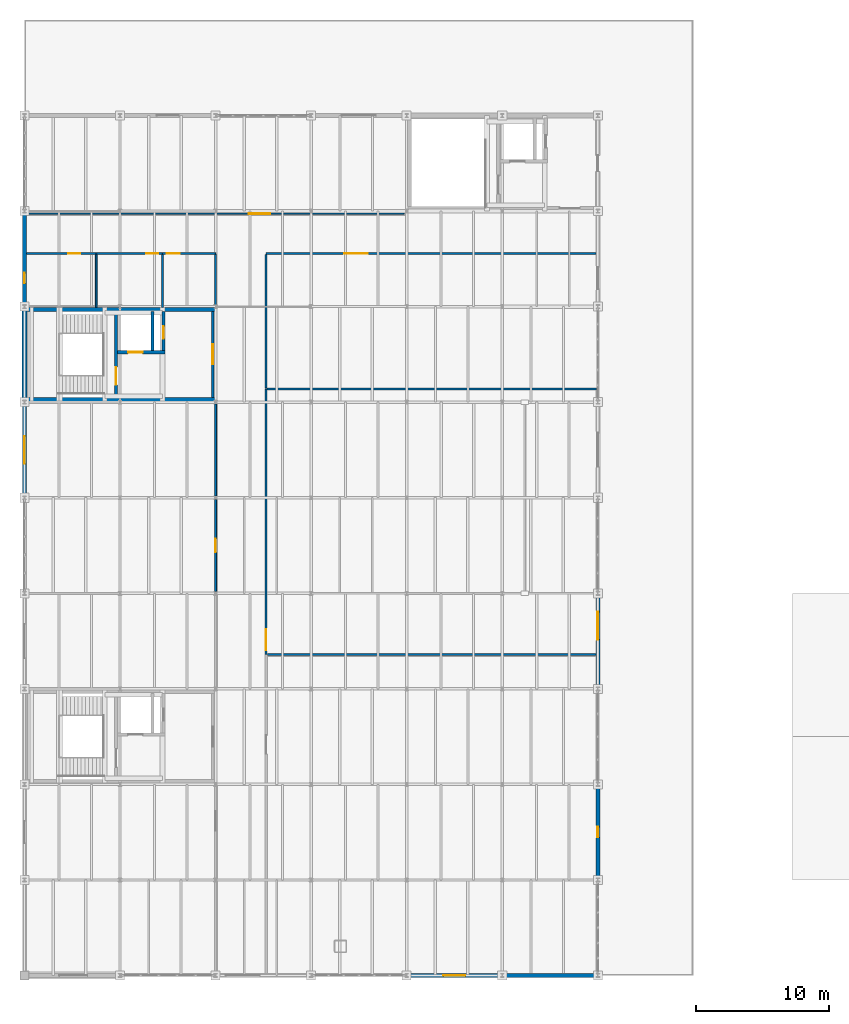
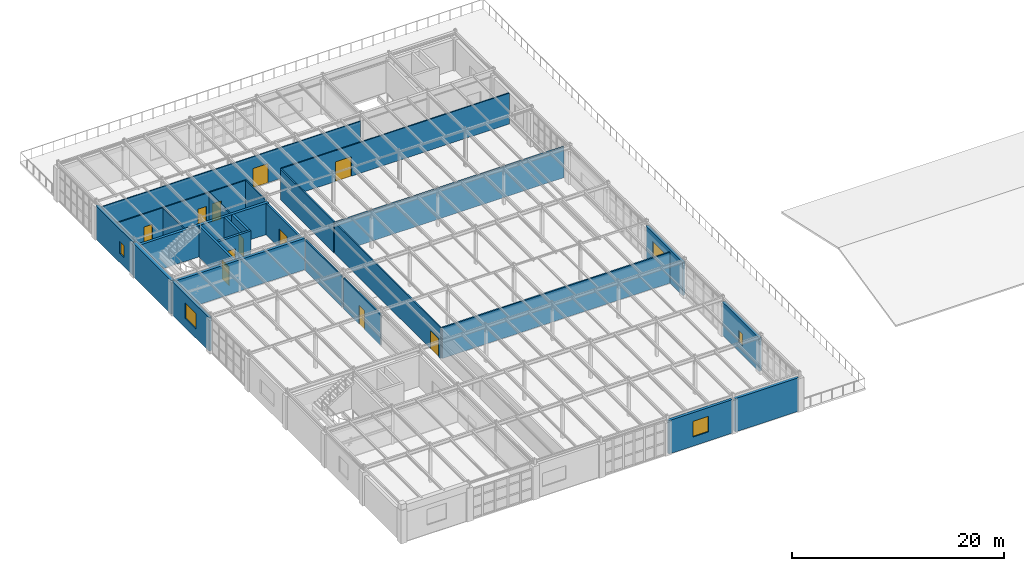
# One storey, part 33 of 36: 28 walls, 11 doors, 5 windows, 16 openings.
"""IFC4 building model written with IfcOpenShell, lengths in metres."""

from ifc_helpers import new_model, si_unit, direction, frame, frame_2d, origin, place, context, subcontext, project, spatial, rectangle, extrude, material, layer, layer_set, type_object, element, fill, save


model = new_model("IFC4")

# Units and contexts
model_context = context("Model", 3, precision=1e-05, world=origin(), true_north=direction((0.0, 1.0)))
body_context = subcontext(model_context, "Body", "Model", "MODEL_VIEW")
ifc_project = project(units=[si_unit("LENGTHUNIT", "METRE"), si_unit("AREAUNIT", "SQUARE_METRE"), si_unit("VOLUMEUNIT", "CUBIC_METRE"), si_unit("PLANEANGLEUNIT", "RADIAN"), si_unit("MASSUNIT", "GRAM", prefix="KILO")], contexts=[model_context])

# Site, building, storey
site_placement = place(None, origin())
site = spatial("IfcSite", under=ifc_project, at=site_placement, CompositionType="ELEMENT")
building_placement = place(site_placement, origin())
building = spatial("IfcBuilding", under=site, at=building_placement, Name="Kemerveld Promenade Tramway Depot", CompositionType="ELEMENT")
storey_placement = place(building_placement, frame((0.0, 0.0, 14.39990234375)))
storey = spatial("IfcBuildingStorey", under=building, at=storey_placement, Name="L03", CompositionType="ELEMENT", Elevation=14.39990234375)

# Wall, opening, door
ifc_material_1 = material(Name="Concrete C40/50", Category="concrete")
ifc_layer_1 = layer(ifc_material_1, 0.25)
ifc_layer_set_1 = layer_set([ifc_layer_1], Name="WL-CORE-250")
wall_type_1 = type_object("IfcWallType", Name="WL-CORE-250", PredefinedType="SHEAR", material=ifc_layer_set_1)
wall_1_placement = place(storey_placement, frame((6.89990234375, 43.550048828125, 0.0), z_axis=(0.0, 0.0, 1.0), x_axis=(0.0, 1.0, 0.0)))
wall_1 = element("IfcWall", 1, at=wall_1_placement, inside=storey, type_object=wall_type_1, Name="WL-C2-L03-SDIV", PredefinedType="SHEAR", context=body_context, shape_type="SweptSolid", body=[
    extrude(rectangle(XDim=6.5, YDim=0.25, at=frame_2d((3.25, 0.0))), origin(), (0.0, 0.0, 1.0), 3.60009765625),
])
opening_1_placement = place(wall_1_placement, frame((0.949951171875, 0.0, 0.0)))
opening_1 = element("IfcOpeningElement", 2, at=opening_1_placement, cuts=wall_1, Name="Opening D-533", PredefinedType="OPENING", context=body_context, shape_type="SweptSolid", body=[
    extrude(rectangle(XDim=1.35009765625, YDim=2.14990234375, at=frame_2d((0.675048828125, 1.074951171875))), frame((0.0, 0.135009765625, 0.0), z_axis=(0.0, -1.0, 0.0), x_axis=(1.0, 0.0, 0.0)), (0.0, 0.0, 1.0), 0.27001953125),
])
ifc_material_2 = material(Name="Galvanised steel fire stair door", Category="steel")
door_type_1 = type_object("IfcDoorType", Name="DR-FD120", OperationType="NOTDEFINED", PredefinedType="DOOR", material=ifc_material_2)
door_1_placement = place(opening_1_placement, origin())
door_1 = element("IfcDoor", 3, at=door_1_placement, inside=storey, type_object=door_type_1, Name="DR-C2-L03-STAIR", OperationType="SINGLE_SWING_RIGHT", OverallHeight=2.14990234375, OverallWidth=1.35009765625, PredefinedType="DOOR", context=body_context, shape_type="SweptSolid", body=[
    extrude(rectangle(XDim=1.35009765625, YDim=2.14990234375, at=frame_2d((0.675048828125, 1.074951171875))), frame((0.0, 0.02490234375, 0.0), z_axis=(0.0, -1.0, 0.0), x_axis=(1.0, 0.0, 0.0)), (0.0, 0.0, 1.0), 0.050048828125),
])
fill(opening_1, door_1)

wall_2_placement = place(storey_placement, frame((7.02490234375, 46.9599609375, 0.0), z_axis=(0.0, 0.0, 1.0), x_axis=(1.0, 0.0, 0.0)))
wall_2 = element("IfcWall", 4, at=wall_2_placement, inside=storey, type_object=wall_type_1, Name="WL-C2-L03-LSHS", PredefinedType="SHEAR", context=body_context, shape_type="SweptSolid", body=[
    extrude(rectangle(XDim=3.580078125, YDim=0.25, at=frame_2d((1.7900390625, 0.0))), origin(), (0.0, 0.0, 1.0), 3.60009765625),
])
opening_2_placement = place(wall_2_placement, frame((0.77490234375, 0.0, 0.0)))
opening_2 = element("IfcOpeningElement", 5, at=opening_2_placement, cuts=wall_2, Name="Opening LD-534", PredefinedType="OPENING", context=body_context, shape_type="SweptSolid", body=[
    extrude(rectangle(XDim=1.10009765625, YDim=2.14990234375, at=frame_2d((0.550048828125, 1.074951171875))), frame((0.0, 0.135009765625, 0.0), z_axis=(0.0, -1.0, 0.0), x_axis=(1.0, 0.0, 0.0)), (0.0, 0.0, 1.0), 0.27001953125),
])
ifc_material_3 = material(Name="Brushed stainless steel sliding lift landing door", Category="steel")
door_type_2 = type_object("IfcDoorType", Name="DR-LD01", OperationType="SLIDING_TO_LEFT", PredefinedType="DOOR", material=ifc_material_3)
door_2_placement = place(opening_2_placement, origin())
door_2 = element("IfcDoor", 6, at=door_2_placement, inside=storey, type_object=door_type_2, Name="DR-C2-L03-LIFT", OperationType="SLIDING_TO_LEFT", OverallHeight=2.14990234375, OverallWidth=1.10009765625, PredefinedType="DOOR", context=body_context, shape_type="SweptSolid", body=[
    extrude(rectangle(XDim=1.10009765625, YDim=2.14990234375, at=frame_2d((0.550048828125, 1.074951171875))), frame((0.0, 0.02490234375, 0.0), z_axis=(0.0, -1.0, 0.0), x_axis=(1.0, 0.0, 0.0)), (0.0, 0.0, 1.0), 0.050048828125),
])
fill(opening_2, door_2)

# Wall
wall_3_placement = place(storey_placement, frame((9.64990234375, 47.0849609375, 0.0), z_axis=(0.0, 0.0, 1.0), x_axis=(0.0, 1.0, 0.0)))
element("IfcWall", 7, at=wall_3_placement, inside=storey, type_object=wall_type_1, Name="WL-C2-L03-LSHM", PredefinedType="SHEAR", context=body_context, shape_type="SweptSolid", body=[
    extrude(rectangle(XDim=2.965087890625, YDim=0.25, at=frame_2d((1.482421875, 0.0))), origin(), (0.0, 0.0, 1.0), 3.60009765625),
])

# Wall, opening, door
wall_4_placement = place(storey_placement, frame((10.47998046875, 47.0849609375, 0.0), z_axis=(0.0, 0.0, 1.0), x_axis=(0.0, 1.0, 0.0)))
wall_4 = element("IfcWall", 8, at=wall_4_placement, inside=storey, type_object=wall_type_1, Name="WL-C2-L03-LSHE", PredefinedType="SHEAR", context=body_context, shape_type="SweptSolid", body=[
    extrude(rectangle(XDim=2.965087890625, YDim=0.25, at=frame_2d((1.482421875, 0.0))), origin(), (0.0, 0.0, 1.0), 3.60009765625),
])
opening_3_placement = place(wall_4_placement, frame((0.89990234375, 0.0, 0.0)))
opening_3 = element("IfcOpeningElement", 9, at=opening_3_placement, cuts=wall_4, Name="Opening D-535", PredefinedType="OPENING", context=body_context, shape_type="SweptSolid", body=[
    extrude(rectangle(XDim=0.919921875, YDim=2.050048828125, at=frame_2d((0.4599609375, 1.02490234375))), frame((0.0, 0.135009765625, 0.0), z_axis=(0.0, -1.0, 0.0), x_axis=(1.0, 0.0, 0.0)), (0.0, 0.0, 1.0), 0.27001953125),
])
ifc_material_4 = material(Name="Steel riser shaft access fire door", Category="steel")
door_type_3 = type_object("IfcDoorType", Name="DR-RSR01", OperationType="NOTDEFINED", PredefinedType="DOOR", material=ifc_material_4)
door_3_placement = place(opening_3_placement, origin())
door_3 = element("IfcDoor", 10, at=door_3_placement, inside=storey, type_object=door_type_3, Name="DR-C2-L03-RISER", OperationType="SINGLE_SWING_LEFT", OverallHeight=2.050048828125, OverallWidth=0.919921875, PredefinedType="DOOR", context=body_context, shape_type="SweptSolid", body=[
    extrude(rectangle(XDim=0.919921875, YDim=2.050048828125, at=frame_2d((0.4599609375, 1.02490234375))), frame((0.0, 0.02490234375, 0.0), z_axis=(0.0, -1.0, 0.0), x_axis=(1.0, 0.0, 0.0)), (0.0, 0.0, 1.0), 0.050048828125),
])
fill(opening_3, door_3)

# Walls
ifc_layer_2 = layer(ifc_material_1, 0.300048828125)
ifc_layer_set_2 = layer_set([ifc_layer_2], Name="WL-CORE-300")
wall_type_2 = type_object("IfcWallType", Name="WL-CORE-300", PredefinedType="SHEAR", material=ifc_layer_set_2)
for number, where, z_axis, x_axis, name in (
    (11, (0.169921875, 43.39990234375, 0.0), (0.0, 0.0, 1.0), (1.0, 0.0, 0.0), "WL-C2-L03-S"),
    (12, (0.169921875, 50.199951171875, 0.0), (0.0, 0.0, 1.0), (1.0, 0.0, 0.0), "WL-C2-L03-N"),
):
    element("IfcWall", number, at=place(storey_placement, frame(where, z_axis=z_axis, x_axis=x_axis)), inside=storey, type_object=wall_type_2, Name=name, PredefinedType="SHEAR", context=body_context, shape_type="SweptSolid", body=[
        extrude(rectangle(XDim=14.22998046875, YDim=0.300048828125, at=frame_2d((7.114990234375, 0.0))), origin(), (0.0, 0.0, 1.0), 3.60009765625),
    ])

# Wall, opening, window
ifc_material_5 = material(Name="Dressed sandstone and brick infill wall", Category="masonry")
ifc_layer_3 = layer(ifc_material_5, 0.300048828125)
ifc_layer_set_3 = layer_set([ifc_layer_3], Name="WL-EXT-300")
wall_type_3 = type_object("IfcWallType", Name="WL-EXT-300", PredefinedType="SOLIDWALL", material=ifc_layer_set_3)
wall_5_placement = place(storey_placement, frame((0.0, 36.150146484375, 0.0), z_axis=(0.0, 0.0, 1.0), x_axis=(0.0, 1.0, 0.0)))
wall_5 = element("IfcWall", 13, at=wall_5_placement, inside=storey, type_object=wall_type_3, Name="WL-L03-V5W-06", PredefinedType="SOLIDWALL", context=body_context, shape_type="SweptSolid", body=[
    extrude(rectangle(XDim=6.899658203125, YDim=0.300048828125, at=frame_2d((3.44970703125, 0.0))), origin(), (0.0, 0.0, 1.0), 3.85009765625),
])
opening_4_placement = place(wall_5_placement, frame((2.39990234375, 0.0, 1.050048828125)))
opening_4 = element("IfcOpeningElement", 14, at=opening_4_placement, cuts=wall_5, Name="Opening W-211", PredefinedType="OPENING", context=body_context, shape_type="SweptSolid", body=[
    extrude(rectangle(XDim=2.10009765625, YDim=1.800048828125, at=frame_2d((1.050048828125, 0.89990234375))), frame((0.0, 0.159912109375, 0.0), z_axis=(0.0, -1.0, 0.0), x_axis=(1.0, 0.0, 0.0)), (0.0, 0.0, 1.0), 0.320068359375),
])
ifc_material_6 = material(Name="Bronze anodised aluminium and low-e glass", Category="aluminium")
window_type_1 = type_object("IfcWindowType", Name="WN-09", PartitioningType="SINGLE_PANEL", PredefinedType="WINDOW", material=ifc_material_6)
window_1_placement = place(opening_4_placement, origin())
window_1 = element("IfcWindow", 15, at=window_1_placement, inside=storey, type_object=window_type_1, Name="WN-L03-V5W-06", OverallHeight=1.800048828125, OverallWidth=2.10009765625, PartitioningType="SINGLE_PANEL", PredefinedType="WINDOW", context=body_context, shape_type="SweptSolid", body=[
    extrude(rectangle(XDim=2.10009765625, YDim=1.800048828125, at=frame_2d((1.050048828125, 0.89990234375))), frame((0.0, 0.030029296875, 0.0), z_axis=(0.0, -1.0, 0.0), x_axis=(1.0, 0.0, 0.0)), (0.0, 0.0, 1.0), 0.06005859375),
])
fill(opening_4, window_1)

wall_6_placement = place(storey_placement, frame((0.0, 50.550048828125, 0.0), z_axis=(0.0, 0.0, 1.0), x_axis=(0.0, 1.0, 0.0)))
wall_6 = element("IfcWall", 16, at=wall_6_placement, inside=storey, type_object=wall_type_3, Name="WL-L03-V5W-08", PredefinedType="SOLIDWALL", context=body_context, shape_type="SweptSolid", body=[
    extrude(rectangle(XDim=6.89990234375, YDim=0.300048828125, at=frame_2d((3.449951171875, 0.0))), origin(), (0.0, 0.0, 1.0), 3.85009765625),
])
opening_5_placement = place(wall_6_placement, frame((1.60009765625, 0.0, 1.050048828125)))
opening_5 = element("IfcOpeningElement", 17, at=opening_5_placement, cuts=wall_6, Name="Opening W-212", PredefinedType="OPENING", context=body_context, shape_type="SweptSolid", body=[
    extrude(rectangle(XDim=0.800048828125, YDim=1.39990234375, at=frame_2d((0.39990234375, 0.699951171875))), frame((0.0, 0.159912109375, 0.0), z_axis=(0.0, -1.0, 0.0), x_axis=(1.0, 0.0, 0.0)), (0.0, 0.0, 1.0), 0.320068359375),
])
window_type_2 = type_object("IfcWindowType", Name="WN-19", PartitioningType="SINGLE_PANEL", PredefinedType="WINDOW", material=ifc_material_6)
window_2_placement = place(opening_5_placement, origin())
window_2 = element("IfcWindow", 18, at=window_2_placement, inside=storey, type_object=window_type_2, Name="WN-L03-V5W-08", OverallHeight=1.39990234375, OverallWidth=0.800048828125, PartitioningType="SINGLE_PANEL", PredefinedType="WINDOW", context=body_context, shape_type="SweptSolid", body=[
    extrude(rectangle(XDim=0.800048828125, YDim=1.39990234375, at=frame_2d((0.39990234375, 0.699951171875))), frame((0.0, 0.030029296875, 0.0), z_axis=(0.0, -1.0, 0.0), x_axis=(1.0, 0.0, 0.0)), (0.0, 0.0, 1.0), 0.06005859375),
])
fill(opening_5, window_2)

wall_7_placement = place(storey_placement, frame((43.199951171875, 28.64990234375, 0.0), z_axis=(0.0, 0.0, 1.0), x_axis=(0.0, -1.0, 0.0)))
wall_7 = element("IfcWall", 19, at=wall_7_placement, inside=storey, type_object=wall_type_3, Name="WL-L03-V5E-06", PredefinedType="SOLIDWALL", context=body_context, shape_type="SweptSolid", body=[
    extrude(rectangle(XDim=6.899658203125, YDim=0.300048828125, at=frame_2d((3.44970703125, 0.0))), origin(), (0.0, 0.0, 1.0), 3.85009765625),
])
opening_6_placement = place(wall_7_placement, frame((1.25, 0.0, 1.050048828125)))
opening_6 = element("IfcOpeningElement", 20, at=opening_6_placement, cuts=wall_7, Name="Opening W-217", PredefinedType="OPENING", context=body_context, shape_type="SweptSolid", body=[
    extrude(rectangle(XDim=2.10009765625, YDim=1.800048828125, at=frame_2d((1.050048828125, 0.89990234375))), frame((0.0, 0.159912109375, 0.0), z_axis=(0.0, -1.0, 0.0), x_axis=(1.0, 0.0, 0.0)), (0.0, 0.0, 1.0), 0.320068359375),
])
window_3_placement = place(opening_6_placement, origin())
window_3 = element("IfcWindow", 21, at=window_3_placement, inside=storey, type_object=window_type_1, Name="WN-L03-V5E-06", OverallHeight=1.800048828125, OverallWidth=2.10009765625, PartitioningType="SINGLE_PANEL", PredefinedType="WINDOW", context=body_context, shape_type="SweptSolid", body=[
    extrude(rectangle(XDim=2.10009765625, YDim=1.800048828125, at=frame_2d((1.050048828125, 0.89990234375))), frame((0.0, 0.030029296875, 0.0), z_axis=(0.0, -1.0, 0.0), x_axis=(1.0, 0.0, 0.0)), (0.0, 0.0, 1.0), 0.06005859375),
])
fill(opening_6, window_3)

wall_8_placement = place(storey_placement, frame((43.199951171875, 14.25, 0.0), z_axis=(0.0, 0.0, 1.0), x_axis=(0.0, -1.0, 0.0)))
wall_8 = element("IfcWall", 22, at=wall_8_placement, inside=storey, type_object=wall_type_3, Name="WL-L03-V5E-08", PredefinedType="SOLIDWALL", context=body_context, shape_type="SweptSolid", body=[
    extrude(rectangle(XDim=6.89990234375, YDim=0.300048828125, at=frame_2d((3.449951171875, 0.0))), origin(), (0.0, 0.0, 1.0), 3.85009765625),
])
opening_7_placement = place(wall_8_placement, frame((3.050048828125, 0.0, 1.050048828125)))
opening_7 = element("IfcOpeningElement", 23, at=opening_7_placement, cuts=wall_8, Name="Opening W-218", PredefinedType="OPENING", context=body_context, shape_type="SweptSolid", body=[
    extrude(rectangle(XDim=0.800048828125, YDim=1.39990234375, at=frame_2d((0.39990234375, 0.699951171875))), frame((0.0, 0.159912109375, 0.0), z_axis=(0.0, -1.0, 0.0), x_axis=(1.0, 0.0, 0.0)), (0.0, 0.0, 1.0), 0.320068359375),
])
window_4_placement = place(opening_7_placement, origin())
window_4 = element("IfcWindow", 24, at=window_4_placement, inside=storey, type_object=window_type_2, Name="WN-L03-V5E-08", OverallHeight=1.39990234375, OverallWidth=0.800048828125, PartitioningType="SINGLE_PANEL", PredefinedType="WINDOW", context=body_context, shape_type="SweptSolid", body=[
    extrude(rectangle(XDim=0.800048828125, YDim=1.39990234375, at=frame_2d((0.39990234375, 0.699951171875))), frame((0.0, 0.030029296875, 0.0), z_axis=(0.0, -1.0, 0.0), x_axis=(1.0, 0.0, 0.0)), (0.0, 0.0, 1.0), 0.06005859375),
])
fill(opening_7, window_4)

# Wall
wall_9_placement = place(storey_placement, frame((43.0498046875, 0.0, 0.0), z_axis=(0.0, 0.0, 1.0), x_axis=(-1.0, 0.0, 0.0)))
element("IfcWall", 25, at=wall_9_placement, inside=storey, type_object=wall_type_3, Name="WL-L03-V5S-01", PredefinedType="SOLIDWALL", context=body_context, shape_type="SweptSolid", body=[
    extrude(rectangle(XDim=6.899658203125, YDim=0.300048828125, at=frame_2d((3.44970703125, 0.0))), origin(), (0.0, 0.0, 1.0), 3.85009765625),
])

# Wall, opening, window
wall_10_placement = place(storey_placement, frame((35.849853515625, 0.0, 0.0), z_axis=(0.0, 0.0, 1.0), x_axis=(-1.0, 0.0, 0.0)))
wall_10 = element("IfcWall", 26, at=wall_10_placement, inside=storey, type_object=wall_type_3, Name="WL-L03-V5S-02", PredefinedType="SOLIDWALL", context=body_context, shape_type="SweptSolid", body=[
    extrude(rectangle(XDim=6.899658203125, YDim=0.300048828125, at=frame_2d((3.44970703125, 0.0))), origin(), (0.0, 0.0, 1.0), 3.85009765625),
])
opening_8_placement = place(wall_10_placement, frame((2.6201171875, 0.0, 1.050048828125)))
opening_8 = element("IfcOpeningElement", 27, at=opening_8_placement, cuts=wall_10, Name="Opening W-219", PredefinedType="OPENING", context=body_context, shape_type="SweptSolid", body=[
    extrude(rectangle(XDim=1.659912109375, YDim=1.800048828125, at=frame_2d((0.830078125, 0.89990234375))), frame((0.0, 0.159912109375, 0.0), z_axis=(0.0, -1.0, 0.0), x_axis=(1.0, 0.0, 0.0)), (0.0, 0.0, 1.0), 0.320068359375),
])
window_type_3 = type_object("IfcWindowType", Name="WN-29", PartitioningType="SINGLE_PANEL", PredefinedType="WINDOW", material=ifc_material_6)
window_5_placement = place(opening_8_placement, origin())
window_5 = element("IfcWindow", 28, at=window_5_placement, inside=storey, type_object=window_type_3, Name="WN-L03-V5S-02", OverallHeight=1.800048828125, OverallWidth=1.659912109375, PartitioningType="SINGLE_PANEL", PredefinedType="WINDOW", context=body_context, shape_type="SweptSolid", body=[
    extrude(rectangle(XDim=1.659912109375, YDim=1.800048828125, at=frame_2d((0.830078125, 0.89990234375))), frame((0.0, 0.030029296875, 0.0), z_axis=(0.0, -1.0, 0.0), x_axis=(1.0, 0.0, 0.0)), (0.0, 0.0, 1.0), 0.06005859375),
])
fill(opening_8, window_5)

# Wall
ifc_layer_4 = layer(ifc_material_1, 0.360107421875)
ifc_layer_set_4 = layer_set([ifc_layer_4], Name="WL-EXT-CORE")
wall_type_4 = type_object("IfcWallType", Name="WL-EXT-CORE", PredefinedType="SHEAR", material=ifc_layer_set_4)
wall_11_placement = place(storey_placement, frame((0.0, 43.199951171875, 0.0), z_axis=(0.0, 0.0, 1.0), x_axis=(0.0, 1.0, 0.0)))
element("IfcWall", 29, at=wall_11_placement, inside=storey, type_object=wall_type_4, Name="WL-L03-V5W-07", PredefinedType="SHEAR", context=body_context, shape_type="SweptSolid", body=[
    extrude(rectangle(XDim=7.199951171875, YDim=0.360107421875, at=frame_2d((3.60009765625, 0.0))), origin(), (0.0, 0.0, 1.0), 3.85009765625),
])

# Wall, opening, door
ifc_material_7 = material(Name="Concrete blockwork C35/45", Category="masonry")
ifc_layer_5 = layer(ifc_material_7, 0.199951171875)
ifc_layer_set_5 = layer_set([ifc_layer_5], Name="WL-LOB-200")
wall_type_5 = type_object("IfcWallType", Name="WL-LOB-200", PredefinedType="SOLIDWALL", material=ifc_layer_set_5)
wall_12_placement = place(storey_placement, frame((14.179931640625, 43.550048828125, 0.0), z_axis=(0.0, 0.0, 1.0), x_axis=(0.0, 1.0, 0.0)))
wall_12 = element("IfcWall", 30, at=wall_12_placement, inside=storey, type_object=wall_type_5, Name="WL-C2-L03-LOB", PredefinedType="SOLIDWALL", context=body_context, shape_type="SweptSolid", body=[
    extrude(rectangle(XDim=6.5, YDim=0.199951171875, at=frame_2d((3.25, 0.0))), origin(), (0.0, 0.0, 1.0), 3.60009765625),
])
opening_9_placement = place(wall_12_placement, frame((2.5, 0.0, 0.0)))
opening_9 = element("IfcOpeningElement", 31, at=opening_9_placement, cuts=wall_12, Name="Opening D-536", PredefinedType="OPENING", context=body_context, shape_type="SweptSolid", body=[
    extrude(rectangle(XDim=1.5, YDim=2.14990234375, at=frame_2d((0.75, 1.074951171875))), frame((0.0, 0.10986328125, 0.0), z_axis=(0.0, -1.0, 0.0), x_axis=(1.0, 0.0, 0.0)), (0.0, 0.0, 1.0), 0.219970703125),
])
ifc_material_8 = material(Name="Timber-faced acoustic fire lobby door", Category="wood")
door_type_4 = type_object("IfcDoorType", Name="DR-FD60A", OperationType="NOTDEFINED", PredefinedType="DOOR", material=ifc_material_8)
door_4_placement = place(opening_9_placement, origin())
door_4 = element("IfcDoor", 32, at=door_4_placement, inside=storey, type_object=door_type_4, Name="DR-C2-L03-LOBBY", OperationType="SINGLE_SWING_RIGHT", OverallHeight=2.14990234375, OverallWidth=1.5, PredefinedType="DOOR", context=body_context, shape_type="SweptSolid", body=[
    extrude(rectangle(XDim=1.5, YDim=2.14990234375, at=frame_2d((0.75, 1.074951171875))), frame((0.0, 0.02490234375, 0.0), z_axis=(0.0, -1.0, 0.0), x_axis=(1.0, 0.0, 0.0)), (0.0, 0.0, 1.0), 0.050048828125),
])
fill(opening_9, door_4)

ifc_material_9 = material(Name="Lightweight glazed studio partition")
ifc_layer_6 = layer(ifc_material_9, 0.10009765625)
ifc_layer_set_6 = layer_set([ifc_layer_6], Name="WL-PRT-100")
wall_type_6 = type_object("IfcWallType", Name="WL-PRT-100", PredefinedType="PARTITIONING", material=ifc_layer_set_6)
wall_13_placement = place(storey_placement, frame((0.14990234375, 57.39990234375, 0.0), z_axis=(0.0, 0.0, 1.0), x_axis=(1.0, 0.0, 0.0)))
wall_13 = element("IfcWall", 33, at=wall_13_placement, inside=storey, type_object=wall_type_6, Name="WL-PRT-RM-L03-V5-BRK", PredefinedType="PARTITIONING", context=body_context, shape_type="SweptSolid", body=[
    extrude(rectangle(XDim=28.4501953125, YDim=0.10009765625, at=frame_2d((14.22509765625, 0.0))), origin(), (0.0, 0.0, 1.0), 3.550048828125),
])
opening_10_placement = place(wall_13_placement, frame((16.757080078125, 0.0, 0.0)))
opening_10 = element("IfcOpeningElement", 34, at=opening_10_placement, cuts=wall_13, Name="Opening D-676", PredefinedType="OPENING", context=body_context, shape_type="SweptSolid", body=[
    extrude(rectangle(XDim=1.60009765625, YDim=2.199951171875, at=frame_2d((0.800048828125, 1.10009765625))), frame((0.0, 0.06005859375, 0.0), z_axis=(0.0, -1.0, 0.0), x_axis=(1.0, 0.0, 0.0)), (0.0, 0.0, 1.0), 0.1201171875),
])
ifc_material_10 = material(Name="Double glazed gallery and canteen door")
door_type_5 = type_object("IfcDoorType", Name="DR-INT05", OperationType="DOUBLE_SWING_LEFT", PredefinedType="DOOR", material=ifc_material_10)
door_5_placement = place(opening_10_placement, origin())
door_5 = element("IfcDoor", 35, at=door_5_placement, inside=storey, type_object=door_type_5, Name="DR-RM-RM-L03-V5-BRK", OperationType="DOUBLE_SWING_LEFT", OverallHeight=2.199951171875, OverallWidth=1.60009765625, PredefinedType="DOOR", context=body_context, shape_type="SweptSolid", body=[
    extrude(rectangle(XDim=1.60009765625, YDim=2.199951171875, at=frame_2d((0.800048828125, 1.10009765625))), frame((0.0, 0.02490234375, 0.0), z_axis=(0.0, -1.0, 0.0), x_axis=(1.0, 0.0, 0.0)), (0.0, 0.0, 1.0), 0.050048828125),
])
fill(opening_10, door_5)

ifc_material_11 = material(Name="Moisture-resistant masonry partition", Category="masonry")
ifc_layer_7 = layer(ifc_material_11, 0.1298828125)
ifc_layer_set_7 = layer_set([ifc_layer_7], Name="WL-PRT-130")
wall_type_7 = type_object("IfcWallType", Name="WL-PRT-130", PredefinedType="PARTITIONING", material=ifc_layer_set_7)
wall_14_placement = place(storey_placement, frame((18.199951171875, 24.199951171875, 0.0), z_axis=(0.0, 0.0, 1.0), x_axis=(0.0, 1.0, 0.0)))
wall_14 = element("IfcWall", 36, at=wall_14_placement, inside=storey, type_object=wall_type_7, Name="WL-PRT-RM-L03-V5-WPE", PredefinedType="PARTITIONING", context=body_context, shape_type="SweptSolid", body=[
    extrude(rectangle(XDim=20.0, YDim=0.1298828125, at=frame_2d((10.0, 0.0))), origin(), (0.0, 0.0, 1.0), 3.550048828125),
])
opening_11_placement = place(wall_14_placement, frame((0.320068359375, 0.0, 0.0)))
opening_11 = element("IfcOpeningElement", 37, at=opening_11_placement, cuts=wall_14, Name="Opening D-674", PredefinedType="OPENING", context=body_context, shape_type="SweptSolid", body=[
    extrude(rectangle(XDim=1.580078125, YDim=2.080078125, at=frame_2d((0.7900390625, 1.0400390625))), frame((0.0, 0.074951171875, 0.0), z_axis=(0.0, -1.0, 0.0), x_axis=(1.0, 0.0, 0.0)), (0.0, 0.0, 1.0), 0.14990234375),
])
ifc_material_12 = material(Name="Hardwood interior room door", Category="wood")
door_type_6 = type_object("IfcDoorType", Name="DR-INT32", OperationType="NOTDEFINED", PredefinedType="DOOR", material=ifc_material_12)
door_6_placement = place(opening_11_placement, origin())
door_6 = element("IfcDoor", 38, at=door_6_placement, inside=storey, type_object=door_type_6, Name="DR-RM-RM-L03-V5-WPE", OperationType="SINGLE_SWING_LEFT", OverallHeight=2.080078125, OverallWidth=1.580078125, PredefinedType="DOOR", context=body_context, shape_type="SweptSolid", body=[
    extrude(rectangle(XDim=1.580078125, YDim=2.080078125, at=frame_2d((0.7900390625, 1.0400390625))), frame((0.0, 0.02490234375, 0.0), z_axis=(0.0, -1.0, 0.0), x_axis=(1.0, 0.0, 0.0)), (0.0, 0.0, 1.0), 0.050048828125),
])
fill(opening_11, door_6)

wall_15_placement = place(storey_placement, frame((18.199951171875, 54.39990234375, 0.0), z_axis=(0.0, 0.0, 1.0), x_axis=(1.0, 0.0, 0.0)))
wall_15 = element("IfcWall", 39, at=wall_15_placement, inside=storey, type_object=wall_type_7, Name="WL-PRT-RM-L03-V5-CAD", PredefinedType="PARTITIONING", context=body_context, shape_type="SweptSolid", body=[
    extrude(rectangle(XDim=24.85009765625, YDim=0.1298828125, at=frame_2d((12.425048828125, 0.0))), origin(), (0.0, 0.0, 1.0), 3.550048828125),
])
opening_12_placement = place(wall_15_placement, frame((5.89697265625, 0.0, 0.0)))
opening_12 = element("IfcOpeningElement", 40, at=opening_12_placement, cuts=wall_15, Name="Opening D-675", PredefinedType="OPENING", context=body_context, shape_type="SweptSolid", body=[
    extrude(rectangle(XDim=1.75, YDim=2.25, at=frame_2d((0.875, 1.125))), frame((0.0, 0.074951171875, 0.0), z_axis=(0.0, -1.0, 0.0), x_axis=(1.0, 0.0, 0.0)), (0.0, 0.0, 1.0), 0.14990234375),
])
ifc_material_13 = material(Name="Double workshop equipment door")
door_type_7 = type_object("IfcDoorType", Name="DR-INT06", OperationType="DOUBLE_SWING_LEFT", PredefinedType="DOOR", material=ifc_material_13)
door_7_placement = place(opening_12_placement, origin())
door_7 = element("IfcDoor", 41, at=door_7_placement, inside=storey, type_object=door_type_7, Name="DR-RM-RM-L03-V5-CAD", OperationType="DOUBLE_SWING_LEFT", OverallHeight=2.25, OverallWidth=1.75, PredefinedType="DOOR", context=body_context, shape_type="SweptSolid", body=[
    extrude(rectangle(XDim=1.75, YDim=2.25, at=frame_2d((0.875, 1.125))), frame((0.0, 0.02490234375, 0.0), z_axis=(0.0, -1.0, 0.0), x_axis=(1.0, 0.0, 0.0)), (0.0, 0.0, 1.0), 0.050048828125),
])
fill(opening_12, door_7)

wall_16_placement = place(storey_placement, frame((0.14990234375, 54.39990234375, 0.0), z_axis=(0.0, 0.0, 1.0), x_axis=(1.0, 0.0, 0.0)))
wall_16 = element("IfcWall", 42, at=wall_16_placement, inside=storey, type_object=wall_type_7, Name="WL-PRT-RM-L03-V5-WCM", PredefinedType="PARTITIONING", context=body_context, shape_type="SweptSolid", body=[
    extrude(rectangle(XDim=5.25, YDim=0.1298828125, at=frame_2d((2.625, 0.0))), origin(), (0.0, 0.0, 1.0), 3.550048828125),
])
opening_13_placement = place(wall_16_placement, frame((3.139892578125, 0.0, 0.0)))
opening_13 = element("IfcOpeningElement", 43, at=opening_13_placement, cuts=wall_16, Name="Opening D-677", PredefinedType="OPENING", context=body_context, shape_type="SweptSolid", body=[
    extrude(rectangle(XDim=0.89990234375, YDim=2.050048828125, at=frame_2d((0.449951171875, 1.02490234375))), frame((0.0, 0.074951171875, 0.0), z_axis=(0.0, -1.0, 0.0), x_axis=(1.0, 0.0, 0.0)), (0.0, 0.0, 1.0), 0.14990234375),
])
ifc_material_14 = material(Name="Moisture-resistant laminate WC door")
door_type_8 = type_object("IfcDoorType", Name="DR-WC01", OperationType="NOTDEFINED", PredefinedType="DOOR", material=ifc_material_14)
door_8_placement = place(opening_13_placement, origin())
door_8 = element("IfcDoor", 44, at=door_8_placement, inside=storey, type_object=door_type_8, Name="DR-RM-RM-L03-V5-WCM", OperationType="SINGLE_SWING_RIGHT", OverallHeight=2.050048828125, OverallWidth=0.89990234375, PredefinedType="DOOR", context=body_context, shape_type="SweptSolid", body=[
    extrude(rectangle(XDim=0.89990234375, YDim=2.050048828125, at=frame_2d((0.449951171875, 1.02490234375))), frame((0.0, 0.02490234375, 0.0), z_axis=(0.0, -1.0, 0.0), x_axis=(1.0, 0.0, 0.0)), (0.0, 0.0, 1.0), 0.050048828125),
])
fill(opening_13, door_8)

wall_17_placement = place(storey_placement, frame((5.39990234375, 54.39990234375, 0.0), z_axis=(0.0, 0.0, 1.0), x_axis=(1.0, 0.0, 0.0)))
wall_17 = element("IfcWall", 45, at=wall_17_placement, inside=storey, type_object=wall_type_7, Name="WL-PRT-RM-L03-V5-WCF", PredefinedType="PARTITIONING", context=body_context, shape_type="SweptSolid", body=[
    extrude(rectangle(XDim=5.0, YDim=0.1298828125, at=frame_2d((2.5, 0.0))), origin(), (0.0, 0.0, 1.0), 3.550048828125),
])
opening_14_placement = place(wall_17_placement, frame((3.780029296875, 0.0, 0.0)))
opening_14 = element("IfcOpeningElement", 46, at=opening_14_placement, cuts=wall_17, Name="Opening D-678", PredefinedType="OPENING", context=body_context, shape_type="SweptSolid", body=[
    extrude(rectangle(XDim=0.89990234375, YDim=2.050048828125, at=frame_2d((0.449951171875, 1.02490234375))), frame((0.0, 0.074951171875, 0.0), z_axis=(0.0, -1.0, 0.0), x_axis=(1.0, 0.0, 0.0)), (0.0, 0.0, 1.0), 0.14990234375),
])
door_9_placement = place(opening_14_placement, origin())
door_9 = element("IfcDoor", 47, at=door_9_placement, inside=storey, type_object=door_type_8, Name="DR-RM-RM-L03-V5-WCF", OperationType="SINGLE_SWING_LEFT", OverallHeight=2.050048828125, OverallWidth=0.89990234375, PredefinedType="DOOR", context=body_context, shape_type="SweptSolid", body=[
    extrude(rectangle(XDim=0.89990234375, YDim=2.050048828125, at=frame_2d((0.449951171875, 1.02490234375))), frame((0.0, 0.02490234375, 0.0), z_axis=(0.0, -1.0, 0.0), x_axis=(1.0, 0.0, 0.0)), (0.0, 0.0, 1.0), 0.050048828125),
])
fill(opening_14, door_9)

wall_18_placement = place(storey_placement, frame((10.39990234375, 54.39990234375, 0.0), z_axis=(0.0, 0.0, 1.0), x_axis=(1.0, 0.0, 0.0)))
wall_18 = element("IfcWall", 48, at=wall_18_placement, inside=storey, type_object=wall_type_7, Name="WL-PRT-RM-L03-V5-WCA", PredefinedType="PARTITIONING", context=body_context, shape_type="SweptSolid", body=[
    extrude(rectangle(XDim=4.0, YDim=0.1298828125, at=frame_2d((2.0, 0.0))), origin(), (0.0, 0.0, 1.0), 3.550048828125),
])
opening_15_placement = place(wall_18_placement, frame((0.320068359375, 0.0, 0.0)))
opening_15 = element("IfcOpeningElement", 49, at=opening_15_placement, cuts=wall_18, Name="Opening D-679", PredefinedType="OPENING", context=body_context, shape_type="SweptSolid", body=[
    extrude(rectangle(XDim=0.97998046875, YDim=2.10009765625, at=frame_2d((0.489990234375, 1.050048828125))), frame((0.0, 0.074951171875, 0.0), z_axis=(0.0, -1.0, 0.0), x_axis=(1.0, 0.0, 0.0)), (0.0, 0.0, 1.0), 0.14990234375),
])
ifc_material_15 = material(Name="Accessible WC outward-opening door")
door_type_9 = type_object("IfcDoorType", Name="DR-WCA1", OperationType="NOTDEFINED", PredefinedType="DOOR", material=ifc_material_15)
door_10_placement = place(opening_15_placement, origin())
door_10 = element("IfcDoor", 50, at=door_10_placement, inside=storey, type_object=door_type_9, Name="DR-RM-RM-L03-V5-WCA", OperationType="SINGLE_SWING_RIGHT", OverallHeight=2.10009765625, OverallWidth=0.97998046875, PredefinedType="DOOR", context=body_context, shape_type="SweptSolid", body=[
    extrude(rectangle(XDim=0.97998046875, YDim=2.10009765625, at=frame_2d((0.489990234375, 1.050048828125))), frame((0.0, 0.02490234375, 0.0), z_axis=(0.0, -1.0, 0.0), x_axis=(1.0, 0.0, 0.0)), (0.0, 0.0, 1.0), 0.050048828125),
])
fill(opening_15, door_10)

# Walls
for number, where, z_axis, x_axis, name in (
    (51, (5.39990234375, 50.35009765625, 0.0), (0.0, 0.0, 1.0), (0.0, 1.0, 0.0), "WL-DIV-L03-004"),
    (52, (10.39990234375, 50.35009765625, 0.0), (0.0, 0.0, 1.0), (0.0, 1.0, 0.0), "WL-DIV-L03-005"),
):
    element("IfcWall", number, at=place(storey_placement, frame(where, z_axis=z_axis, x_axis=x_axis)), inside=storey, type_object=wall_type_7, Name=name, PredefinedType="PARTITIONING", context=body_context, shape_type="SweptSolid", body=[
        extrude(rectangle(XDim=3.98486328125, YDim=0.1298828125, at=frame_2d((1.992431640625, 0.0))), origin(), (0.0, 0.0, 1.0), 3.550048828125),
    ])
wall_19_placement = place(storey_placement, frame((14.39990234375, 50.531982421875, 0.0), z_axis=(0.0, 0.0, 1.0), x_axis=(0.0, 1.0, 0.0)))
element("IfcWall", 53, at=wall_19_placement, inside=storey, type_object=wall_type_7, Name="WL-DIV-L03-006", PredefinedType="PARTITIONING", context=body_context, shape_type="SweptSolid", body=[
    extrude(rectangle(XDim=3.802978515625, YDim=0.1298828125, at=frame_2d((1.9013671875, 0.0))), origin(), (0.0, 0.0, 1.0), 3.550048828125),
])

# Wall, opening, door
ifc_material_16 = material(Name="Fire-rated gypsum stud partition")
ifc_layer_8 = layer(ifc_material_16, 0.14501953125)
ifc_layer_set_8 = layer_set([ifc_layer_8], Name="WL-PRT-145")
wall_type_8 = type_object("IfcWallType", Name="WL-PRT-145", PredefinedType="PARTITIONING", material=ifc_layer_set_8)
wall_20_placement = place(storey_placement, frame((14.39990234375, 28.931884765625, 0.0), z_axis=(0.0, 0.0, 1.0), x_axis=(0.0, 1.0, 0.0)))
wall_20 = element("IfcWall", 54, at=wall_20_placement, inside=storey, type_object=wall_type_8, Name="WL-PRT-RM-L03-V5-SEM1", PredefinedType="PARTITIONING", context=body_context, shape_type="SweptSolid", body=[
    extrude(rectangle(XDim=6.93603515625, YDim=0.14501953125, at=frame_2d((3.468017578125, 0.0))), origin(), (0.0, 0.0, 1.0), 3.550048828125),
])
opening_16_placement = place(wall_20_placement, frame((2.943115234375, 0.0, 0.0)))
opening_16 = element("IfcOpeningElement", 55, at=opening_16_placement, cuts=wall_20, Name="Opening D-673", PredefinedType="OPENING", context=body_context, shape_type="SweptSolid", body=[
    extrude(rectangle(XDim=1.050048828125, YDim=2.14990234375, at=frame_2d((0.52490234375, 1.074951171875))), frame((0.0, 0.08251953125, 0.0), z_axis=(0.0, -1.0, 0.0), x_axis=(1.0, 0.0, 0.0)), (0.0, 0.0, 1.0), 0.1650390625),
])
ifc_material_17 = material(Name="Glazed training classroom door")
door_type_10 = type_object("IfcDoorType", Name="DR-INT03", OperationType="NOTDEFINED", PredefinedType="DOOR", material=ifc_material_17)
door_11_placement = place(opening_16_placement, origin())
door_11 = element("IfcDoor", 56, at=door_11_placement, inside=storey, type_object=door_type_10, Name="DR-RM-RM-L03-V5-SEM1", OperationType="SINGLE_SWING_RIGHT", OverallHeight=2.14990234375, OverallWidth=1.050048828125, PredefinedType="DOOR", context=body_context, shape_type="SweptSolid", body=[
    extrude(rectangle(XDim=1.050048828125, YDim=2.14990234375, at=frame_2d((0.52490234375, 1.074951171875))), frame((0.0, 0.02490234375, 0.0), z_axis=(0.0, -1.0, 0.0), x_axis=(1.0, 0.0, 0.0)), (0.0, 0.0, 1.0), 0.050048828125),
])
fill(opening_16, door_11)

# Walls
wall_21_placement = place(storey_placement, frame((14.39990234375, 36.132080078125, 0.0), z_axis=(0.0, 0.0, 1.0), x_axis=(0.0, 1.0, 0.0)))
element("IfcWall", 57, at=wall_21_placement, inside=storey, type_object=wall_type_8, Name="WL-PRT-RM-L03-V5-SEM1-S3", PredefinedType="PARTITIONING", context=body_context, shape_type="SweptSolid", body=[
    extrude(rectangle(XDim=6.93603515625, YDim=0.14501953125, at=frame_2d((3.468017578125, 0.0))), origin(), (0.0, 0.0, 1.0), 3.550048828125),
])
ifc_material_18 = material(Name="Acoustic twin-stud gypsum partition")
ifc_layer_9 = layer(ifc_material_18, 0.159912109375)
ifc_layer_set_9 = layer_set([ifc_layer_9], Name="WL-PRT-160")
wall_type_9 = type_object("IfcWallType", Name="WL-PRT-160", PredefinedType="PARTITIONING", material=ifc_layer_set_9)
wall_22_placement = place(storey_placement, frame((18.294921875, 24.199951171875, 0.0), z_axis=(0.0, 0.0, 1.0), x_axis=(1.0, 0.0, 0.0)))
element("IfcWall", 58, at=wall_22_placement, inside=storey, type_object=wall_type_9, Name="WL-DIV-L03-001", PredefinedType="PARTITIONING", context=body_context, shape_type="SweptSolid", body=[
    extrude(rectangle(XDim=24.755126953125, YDim=0.159912109375, at=frame_2d((12.37744140625, 0.0))), origin(), (0.0, 0.0, 1.0), 3.550048828125),
])
wall_23_placement = place(storey_placement, frame((18.264892578125, 44.199951171875, 0.0), z_axis=(0.0, 0.0, 1.0), x_axis=(1.0, 0.0, 0.0)))
element("IfcWall", 59, at=wall_23_placement, inside=storey, type_object=wall_type_9, Name="WL-DIV-L03-002", PredefinedType="PARTITIONING", context=body_context, shape_type="SweptSolid", body=[
    extrude(rectangle(XDim=24.835205078125, YDim=0.159912109375, at=frame_2d((12.41748046875, 0.0))), origin(), (0.0, 0.0, 1.0), 3.550048828125),
])
wall_24_placement = place(storey_placement, frame((18.199951171875, 44.280029296875, 0.0), z_axis=(0.0, 0.0, 1.0), x_axis=(0.0, 1.0, 0.0)))
element("IfcWall", 60, at=wall_24_placement, inside=storey, type_object=wall_type_9, Name="WL-DIV-L03-003", PredefinedType="PARTITIONING", context=body_context, shape_type="SweptSolid", body=[
    extrude(rectangle(XDim=10.054931640625, YDim=0.159912109375, at=frame_2d((5.02734375, 0.0))), origin(), (0.0, 0.0, 1.0), 3.550048828125),
])

save(model, "model.ifc")
